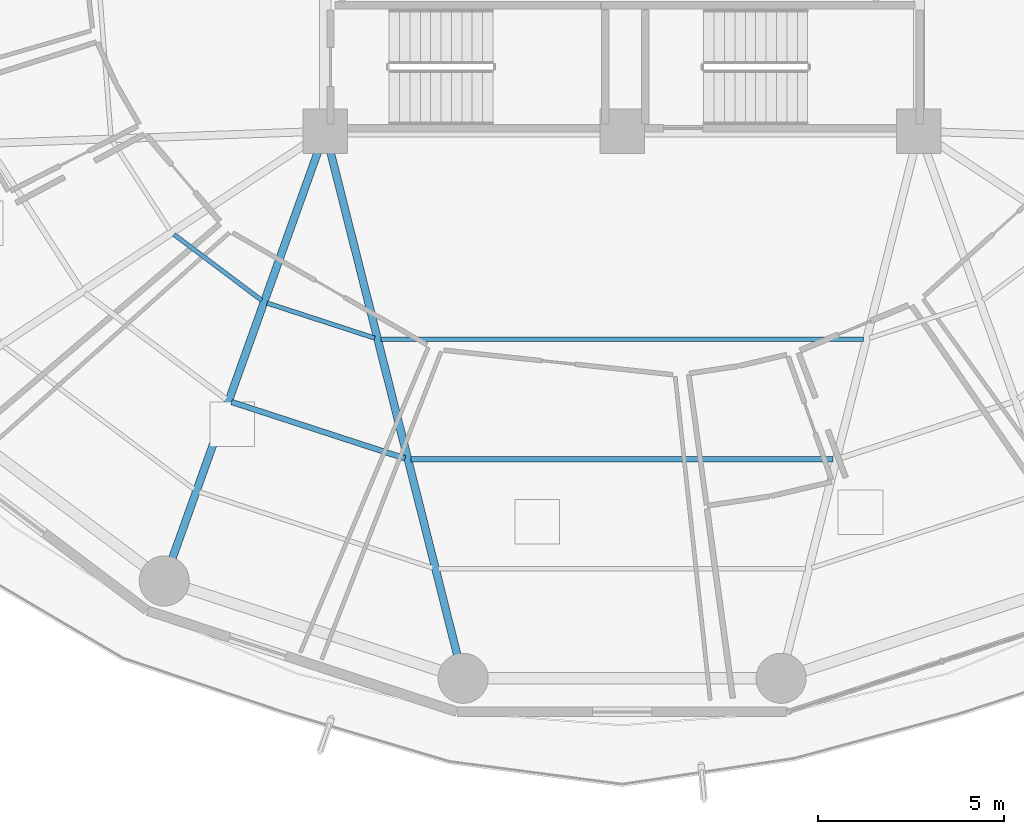
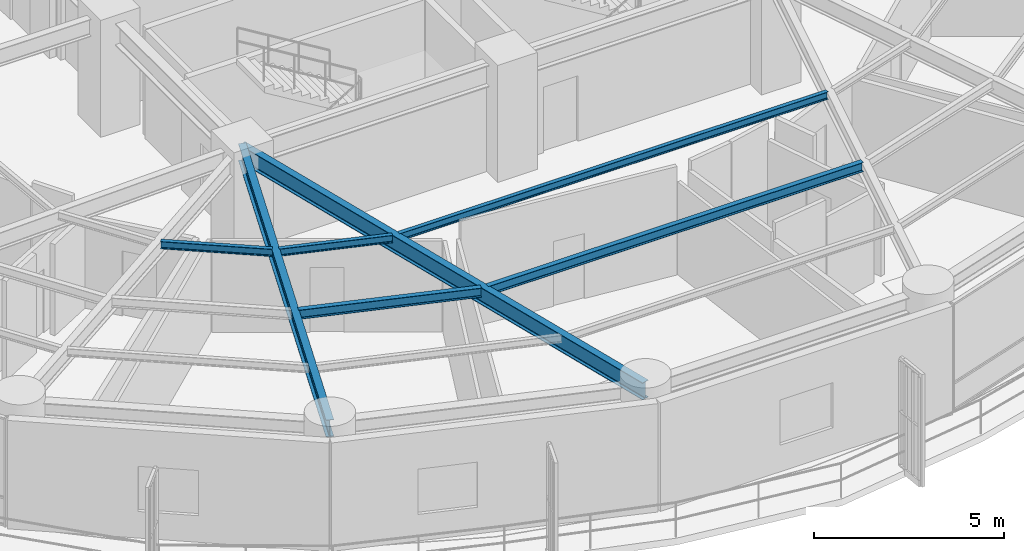
# One storey, part 5 of 37: 7 beams.
"""IFC4 building model written with IfcOpenShell, lengths in metres."""

from ifc_helpers import new_model, si_unit, direction, frame, origin, origin_2d, place, context, subcontext, project, spatial, i_section, extrude, material, material_profile, profile_set, type_object, element, save


model = new_model("IFC4")

# Units and contexts
model_context = context("Model", 3, precision=1e-05, world=origin(), true_north=direction((0.0, 1.0)))
body_context = subcontext(model_context, "Body", "Model", "MODEL_VIEW")
ifc_project = project(units=[si_unit("LENGTHUNIT", "METRE"), si_unit("AREAUNIT", "SQUARE_METRE"), si_unit("VOLUMEUNIT", "CUBIC_METRE"), si_unit("PLANEANGLEUNIT", "RADIAN"), si_unit("MASSUNIT", "GRAM", prefix="KILO")], contexts=[model_context])

# Site, building, storey
site_placement = place(None, origin())
site = spatial("IfcSite", under=ifc_project, at=site_placement, CompositionType="ELEMENT")
building_placement = place(site_placement, origin())
building = spatial("IfcBuilding", under=site, at=building_placement, Name="Kelanora Arch Commons", CompositionType="ELEMENT")
storey_placement = place(building_placement, frame((0.0, 0.0, 113.85009765625)))
storey = spatial("IfcBuildingStorey", under=building, at=storey_placement, Name="L29", CompositionType="ELEMENT", Elevation=113.85009765625)

# Beams
ifc_material = material(Name="Steel S355", Category="steel")
ifc_material_profile_1 = material_profile(ifc_material, i_section(OverallWidth=0.14990234375, OverallDepth=0.300048828125, WebThickness=0.007080078125, FlangeThickness=0.0107421875, FilletRadius=0.014892578125, at=origin_2d()), Name="IPE300")
ifc_profile_set_1 = profile_set([ifc_material_profile_1], Name="Steel S355")
beam_type_1 = type_object("IfcBeamType", Name="BM-JST-01", PredefinedType="JOIST", material=ifc_profile_set_1)
beam_1_placement = place(storey_placement, frame((63.476806640625, 43.70068359375, 3.33984375), z_axis=(0.950857140254, -0.309629938521, 0.0), x_axis=(0.309629938521, 0.950857140254, 0.0)))
element("IfcBeam", 1, at=beam_1_placement, inside=storey, type_object=beam_type_1, Name="Secondary Chord Joist BJB-24 L29", PredefinedType="JOIST", context=body_context, shape_type="SweptSolid", body=[
    extrude(i_section(OverallWidth=0.14990234375, OverallDepth=0.300048828125, WebThickness=0.007080078125, FlangeThickness=0.0107421875, FilletRadius=0.014892578125, at=origin_2d()), origin(), (0.0, 0.0, 1.0), 4.912353515625),
])
beam_2_placement = place(storey_placement, frame((68.313720703125, 42.1533203125, 3.33984375), z_axis=(1.0, 0.0, 0.0), x_axis=(0.0, 1.0, 0.0)))
element("IfcBeam", 2, at=beam_2_placement, inside=storey, type_object=beam_type_1, Name="Secondary Chord Joist BJB-26 L29", PredefinedType="JOIST", context=body_context, shape_type="SweptSolid", body=[
    extrude(i_section(OverallWidth=0.14990234375, OverallDepth=0.300048828125, WebThickness=0.007080078125, FlangeThickness=0.0107421875, FilletRadius=0.014892578125, at=origin_2d()), origin(), (0.0, 0.0, 1.0), 11.37255859375),
])
ifc_material_profile_2 = material_profile(ifc_material, i_section(OverallWidth=0.1201171875, OverallDepth=0.239990234375, WebThickness=0.006103515625, FlangeThickness=0.009765625, FilletRadius=0.014892578125, at=origin_2d()), Name="IPE240")
ifc_profile_set_2 = profile_set([ifc_material_profile_2], Name="Steel S355")
beam_type_2 = type_object("IfcBeamType", Name="BM-JST-02", PredefinedType="JOIST", material=ifc_profile_set_2)
beam_3_placement = place(storey_placement, frame((61.923583984375, 48.2158203125, 3.369873046875), z_axis=(0.799692034361, -0.600410401458, 0.0), x_axis=(0.600410401458, 0.799692034361, 0.0)))
element("IfcBeam", 3, at=beam_3_placement, inside=storey, type_object=beam_type_2, Name="Secondary Chord Joist BJA-22 L29", PredefinedType="JOIST", context=body_context, shape_type="SweptSolid", body=[
    extrude(i_section(OverallWidth=0.1201171875, OverallDepth=0.239990234375, WebThickness=0.006103515625, FlangeThickness=0.009765625, FilletRadius=0.014892578125, at=origin_2d()), origin(), (0.0, 0.0, 1.0), 2.949951171875),
])
beam_4_placement = place(storey_placement, frame((64.431640625, 46.367431640625, 3.369873046875), z_axis=(0.950846758946, -0.309661817151, 0.0), x_axis=(0.309661817151, 0.950846758946, 0.0)))
element("IfcBeam", 4, at=beam_4_placement, inside=storey, type_object=beam_type_2, Name="Secondary Chord Joist BJA-24 L29", PredefinedType="JOIST", context=body_context, shape_type="SweptSolid", body=[
    extrude(i_section(OverallWidth=0.1201171875, OverallDepth=0.239990234375, WebThickness=0.006103515625, FlangeThickness=0.009765625, FilletRadius=0.014892578125, at=origin_2d()), origin(), (0.0, 0.0, 1.0), 3.048828125),
])
beam_5_placement = place(storey_placement, frame((67.49658203125, 45.397216796875, 3.369873046875), z_axis=(1.0, 0.0, 0.0), x_axis=(0.0, 1.0, 0.0)))
element("IfcBeam", 5, at=beam_5_placement, inside=storey, type_object=beam_type_2, Name="Secondary Chord Joist BJA-26 L29", PredefinedType="JOIST", context=body_context, shape_type="SweptSolid", body=[
    extrude(i_section(OverallWidth=0.1201171875, OverallDepth=0.239990234375, WebThickness=0.006103515625, FlangeThickness=0.009765625, FilletRadius=0.014892578125, at=origin_2d()), origin(), (0.0, 0.0, 1.0), 13.0068359375),
])
ifc_material_profile_3 = material_profile(ifc_material, i_section(OverallWidth=0.2099609375, OverallDepth=0.550048828125, WebThickness=0.010986328125, FlangeThickness=0.01708984375, FilletRadius=0.02392578125, at=origin_2d()), Name="IPE550")
ifc_profile_set_3 = profile_set([ifc_material_profile_3], Name="Steel S355")
beam_type_3 = type_object("IfcBeamType", Name="BM-RAD-Z2", PredefinedType="BEAM", material=ifc_profile_set_3)
beam_6_placement = place(storey_placement, frame((66.0, 51.0, 3.21484375), z_axis=(-0.337084640008, -0.941474346687, 0.0), x_axis=(0.941474346687, -0.337084640008, 0.0)))
element("IfcBeam", 6, at=beam_6_placement, inside=storey, type_object=beam_type_3, Name="Radial Floor Girder BR-24 L29", PredefinedType="BEAM", context=body_context, shape_type="SweptSolid", body=[
    extrude(i_section(OverallWidth=0.2099609375, OverallDepth=0.550048828125, WebThickness=0.010986328125, FlangeThickness=0.01708984375, FilletRadius=0.02392578125, at=origin_2d()), origin(), (0.0, 0.0, 1.0), 12.875244140625),
])
beam_7_placement = place(storey_placement, frame((66.0, 51.0, 3.21484375), z_axis=(0.244280647475, -0.969704576286, 0.0), x_axis=(0.969704576286, 0.244280647475, 0.0)))
element("IfcBeam", 7, at=beam_7_placement, inside=storey, type_object=beam_type_3, Name="Radial Floor Girder BR-26 L29", PredefinedType="BEAM", context=body_context, shape_type="SweptSolid", body=[
    extrude(i_section(OverallWidth=0.2099609375, OverallDepth=0.550048828125, WebThickness=0.010986328125, FlangeThickness=0.01708984375, FilletRadius=0.02392578125, at=origin_2d()), origin(), (0.0, 0.0, 1.0), 15.205322265625),
])

save(model, "model.ifc")
